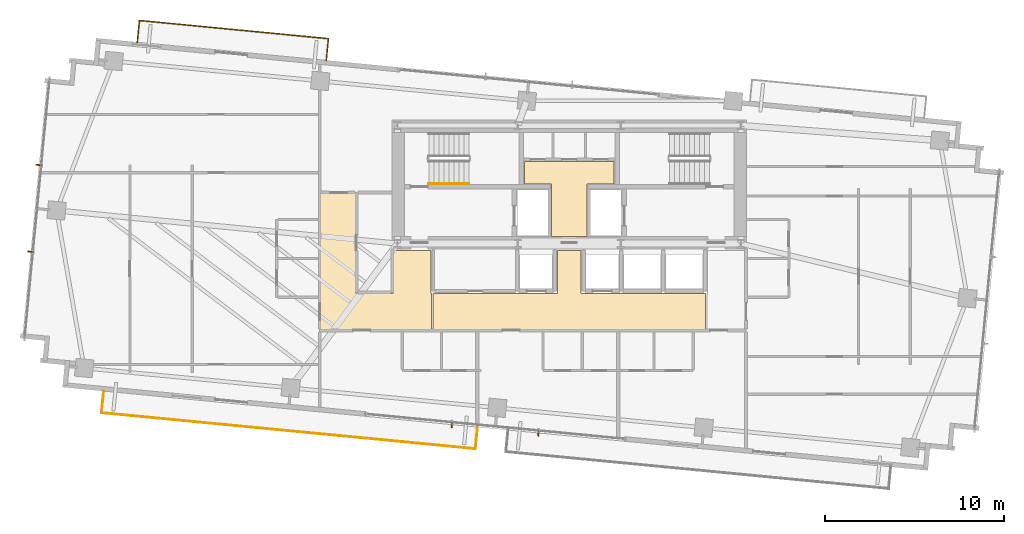
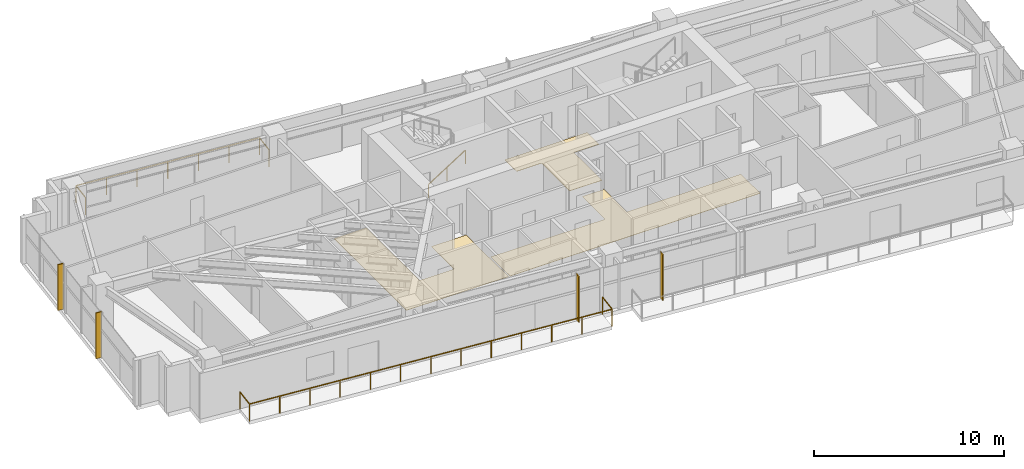
# One storey, part 18 of 19: 4 shading devices, 3 coverings, 3 railings.
"""IFC4 building model written with IfcOpenShell, lengths in metres."""

from ifc_helpers import new_model, si_unit, direction, frame, origin, origin_2d, place, context, subcontext, project, spatial, polyline, rectangle, outline, extrude, source, transform, mapped, material, layer, layer_set, type_object, type_shapes, element, save


model = new_model("IFC4")

# Units and contexts
model_context = context("Model", 3, precision=1e-05, world=origin(), true_north=direction((0.0, 1.0)))
body_context = subcontext(model_context, "Body", "Model", "MODEL_VIEW")
ifc_project = project(units=[si_unit("LENGTHUNIT", "METRE"), si_unit("AREAUNIT", "SQUARE_METRE"), si_unit("VOLUMEUNIT", "CUBIC_METRE"), si_unit("PLANEANGLEUNIT", "RADIAN"), si_unit("MASSUNIT", "GRAM", prefix="KILO")], contexts=[model_context])

# Site, building, storey
site_placement = place(None, origin())
site = spatial("IfcSite", under=ifc_project, at=site_placement, CompositionType="ELEMENT")
building_placement = place(site_placement, origin())
building = spatial("IfcBuilding", under=site, at=building_placement, Name="Astriad Promenade Condominiums", CompositionType="ELEMENT")
storey_placement = place(building_placement, frame((0.0, 0.0, 150.199951171875)))
storey = spatial("IfcBuildingStorey", under=building, at=storey_placement, Name="L43", CompositionType="ELEMENT", Elevation=150.199951171875)

# Coverings
ifc_material_1 = material(Name="Polished Lakefront Terrazzo Flooring")
ifc_layer = layer(ifc_material_1, 0.02001953125)
ifc_layer_set = layer_set([ifc_layer], Name="Polished Lakefront Terrazzo Flooring")
covering_type = type_object("IfcCoveringType", Name="COV-FLOR-TERRAZZO-20", PredefinedType="FLOORING", material=ifc_layer_set)
covering_1_placement = place(storey_placement, origin())
element("IfcCovering", 1, at=covering_1_placement, inside=storey, type_object=covering_type, Name="FLR-L43-CSL", PredefinedType="FLOORING", context=body_context, shape_type="SweptSolid", body=[
    extrude(outline(polyline([(36.97998046875, 20.699951171875), (36.97998046875, 17.7900390625), (35.02001953125, 17.7900390625), (35.02001953125, 20.699951171875), (35.019775390625, 20.703857421875), (35.019287109375, 20.707763671875), (35.018310546875, 20.711669921875), (35.01708984375, 20.71533203125), (35.015380859375, 20.718994140625), (35.01318359375, 20.72216796875), (35.010986328125, 20.725341796875), (35.00830078125, 20.728271484375), (35.00537109375, 20.73095703125), (35.002197265625, 20.7333984375), (34.998779296875, 20.7353515625), (34.995361328125, 20.737060546875), (34.99169921875, 20.73828125), (34.98779296875, 20.7392578125), (34.98388671875, 20.73974609375), (34.97998046875, 20.739990234375), (33.5, 20.739990234375), (33.5, 21.97998046875), (38.5, 21.97998046875), (38.5, 20.739990234375), (37.02001953125, 20.739990234375), (37.01611328125, 20.73974609375), (37.01220703125, 20.7392578125), (37.00830078125, 20.73828125), (37.004638671875, 20.737060546875), (37.001220703125, 20.7353515625), (36.997802734375, 20.7333984375), (36.99462890625, 20.73095703125), (36.99169921875, 20.728271484375), (36.989013671875, 20.725341796875), (36.98681640625, 20.72216796875), (36.984619140625, 20.718994140625), (36.98291015625, 20.71533203125), (36.981689453125, 20.711669921875), (36.980712890625, 20.707763671875), (36.980224609375, 20.703857421875), (36.97998046875, 20.699951171875)])), origin(), (0.0, 0.0, 1.0), 0.02001953125),
])
covering_2_placement = place(storey_placement, origin())
element("IfcCovering", 2, at=covering_2_placement, inside=storey, type_object=covering_type, Name="FLR-L43-LLB", PredefinedType="FLOORING", context=body_context, shape_type="SweptSolid", body=[
    extrude(outline(polyline([(32.9736328125, 14.6201171875), (32.974609375, 14.619140625), (32.977783203125, 14.61669921875), (32.981201171875, 14.61474609375), (32.984619140625, 14.613037109375), (32.98828125, 14.61181640625), (32.9921875, 14.61083984375), (32.99609375, 14.610107421875), (33.0, 14.610107421875), (35.300048828125, 14.610107421875), (35.303955078125, 14.610107421875), (35.307861328125, 14.61083984375), (35.3115234375, 14.61181640625), (35.315185546875, 14.613037109375), (35.31884765625, 14.61474609375), (35.322265625, 14.61669921875), (35.325439453125, 14.619140625), (35.328369140625, 14.62158203125), (35.330810546875, 14.62451171875), (35.333251953125, 14.627685546875), (35.335205078125, 14.631103515625), (35.3369140625, 14.634765625), (35.33837890625, 14.638427734375), (35.339111328125, 14.64208984375), (35.33984375, 14.64599609375), (35.340087890625, 14.64990234375), (35.340087890625, 17.010009765625), (36.659912109375, 17.010009765625), (36.659912109375, 14.64990234375), (36.66015625, 14.64599609375), (36.660888671875, 14.64208984375), (36.66162109375, 14.638427734375), (36.6630859375, 14.634765625), (36.664794921875, 14.631103515625), (36.666748046875, 14.627685546875), (36.669189453125, 14.62451171875), (36.671630859375, 14.62158203125), (36.674560546875, 14.619140625), (36.677734375, 14.61669921875), (36.68115234375, 14.61474609375), (36.684814453125, 14.613037109375), (36.6884765625, 14.61181640625), (36.692138671875, 14.61083984375), (36.696044921875, 14.610107421875), (36.699951171875, 14.610107421875), (43.610107421875, 14.610107421875), (43.610107421875, 12.590087890625), (28.389892578125, 12.590087890625), (28.389892578125, 14.6201171875), (32.9736328125, 14.6201171875)])), origin(), (0.0, 0.0, 1.0), 0.02001953125),
])
covering_3_placement = place(storey_placement, origin())
element("IfcCovering", 3, at=covering_3_placement, inside=storey, type_object=covering_type, Name="FLR-L43-COR-2", PredefinedType="FLOORING", context=body_context, shape_type="SweptSolid", body=[
    extrude(outline(polyline([(28.300048828125, 12.590087890625), (22.090087890625, 12.590087890625), (22.090087890625, 20.2099609375), (24.06005859375, 20.2099609375), (24.06005859375, 14.659912109375), (24.060302734375, 14.656005859375), (24.060791015625, 14.652099609375), (24.061767578125, 14.6484375), (24.06298828125, 14.644775390625), (24.064697265625, 14.64111328125), (24.066650390625, 14.6376953125), (24.069091796875, 14.634521484375), (24.07177734375, 14.631591796875), (24.07470703125, 14.629150390625), (24.077880859375, 14.626708984375), (24.0810546875, 14.624755859375), (24.084716796875, 14.623046875), (24.08837890625, 14.62158203125), (24.09228515625, 14.620849609375), (24.09619140625, 14.6201171875), (24.10009765625, 14.6201171875), (26.1201171875, 14.6201171875), (26.123779296875, 14.6201171875), (26.127685546875, 14.620849609375), (26.131591796875, 14.62158203125), (26.13525390625, 14.623046875), (26.138916015625, 14.624755859375), (26.14208984375, 14.626708984375), (26.1455078125, 14.629150390625), (26.148193359375, 14.631591796875), (26.15087890625, 14.634521484375), (26.1533203125, 14.6376953125), (26.1552734375, 14.64111328125), (26.156982421875, 14.644775390625), (26.158203125, 14.6484375), (26.1591796875, 14.652099609375), (26.159912109375, 14.656005859375), (26.159912109375, 14.659912109375), (26.159912109375, 17.010009765625), (28.280029296875, 17.010009765625), (28.280029296875, 14.659912109375), (28.2802734375, 14.656005859375), (28.28076171875, 14.652099609375), (28.28173828125, 14.6484375), (28.282958984375, 14.644775390625), (28.28466796875, 14.64111328125), (28.28662109375, 14.6376953125), (28.2890625, 14.634521484375), (28.291748046875, 14.631591796875), (28.294677734375, 14.629150390625), (28.2978515625, 14.626708984375), (28.300048828125, 14.62548828125), (28.300048828125, 12.590087890625)])), origin(), (0.0, 0.0, 1.0), 0.02001953125),
])

# Shading devices
ifc_material_2 = material(Name="Anodised aluminium 6063-T6 Black Fin", Category="aluminium")
shading_device_type = type_object("IfcShadingDeviceType", Name="FIN-BLACK-260", PredefinedType="USERDEFINED", material=ifc_material_2)
shared_shape_1 = source(origin(), body_context, "Body", "SweptSolid", [
    extrude(rectangle(XDim=0.06494140625, YDim=0.320068359375, at=origin_2d()), origin(), (0.0, 0.0, 1.0), 2.93994140625),
])
type_shapes(shading_device_type, [shared_shape_1])
for number, where, z_axis, x_axis, name in (
    (4, (5.880126953125, 16.947509765625, 0.0), (0.0, 0.0, 1.0), (0.09584575252, 0.995396198367, 0.0), "CW-L43-W-FIN-01"),
    (5, (6.3466796875, 21.791748046875, 0.0), (0.0, 0.0, 1.0), (0.09584575252, 0.995396198367, 0.0), "CW-L43-W-FIN-02"),
    (6, (34.278564453125, 6.80224609375, 0.0), (0.0, 0.0, 1.0), (-0.995396198367, 0.09584575252, 0.0), "CW-L43-S-FIN-01"),
    (7, (29.44091796875, 7.26806640625, 0.0), (0.0, 0.0, 1.0), (-0.995396198367, 0.09584575252, 0.0), "CW-L43-S-FIN-02"),
):
    element("IfcShadingDevice", number, at=place(storey_placement, frame(where, z_axis=z_axis, x_axis=x_axis)), inside=storey, type_object=shading_device_type, Name=name, ObjectType="FIN", PredefinedType="USERDEFINED", context=body_context, shape_type="MappedRepresentation", body=[
        mapped(shared_shape_1, transform((0.0, 0.0, 0.0), scale=1.0)),
    ])

# Railings
ifc_material_3 = material(Name="Laminated Glass and Stainless Steel Balustrade", Category="steel")
railing_type_1 = type_object("IfcRailingType", Name="GRD-BALC-1120", PredefinedType="BALUSTRADE", material=ifc_material_3)
shared_shape_2 = source(origin(), body_context, "Body", "SweptSolid", [
    extrude(rectangle(XDim=0.048095703125, YDim=0.048095703125, at=origin_2d()), frame((0.0, 0.0, 1.09619140625), z_axis=(-0.095857307208, -0.99539508571, 0.0), x_axis=(0.99539508571, -0.095857307208, 0.0)), (0.0, 0.0, 1.0), 1.219970703125),
    extrude(rectangle(XDim=0.048095703125, YDim=0.048095703125, at=origin_2d()), frame((-0.116943359375, -1.21435546875, 1.09619140625), z_axis=(0.99539657836, -0.095841806061, 0.0), x_axis=(0.095841806061, 0.99539657836, 0.0)), (0.0, 0.0, 1.0), 20.9951171875),
    extrude(rectangle(XDim=0.048095703125, YDim=0.048095703125, at=origin_2d()), frame((20.781494140625, -3.2265625, 1.09619140625), z_axis=(0.095857307208, 0.99539508571, 0.0), x_axis=(-0.99539508571, 0.095857307208, 0.0)), (0.0, 0.0, 1.0), 1.219970703125),
    extrude(rectangle(XDim=0.0419921875, YDim=0.0419921875, at=origin_2d()), origin(), (0.0, 0.0, 1.0), 1.072021484375),
    extrude(rectangle(XDim=0.0419921875, YDim=0.0419921875, at=origin_2d()), frame((-0.116943359375, -1.21435546875, 0.0)), (0.0, 0.0, 1.0), 1.072021484375),
    extrude(rectangle(XDim=0.0419921875, YDim=0.0419921875, at=origin_2d()), frame((1.62451171875, -1.382080078125, 0.0)), (0.0, 0.0, 1.0), 1.072021484375),
    extrude(rectangle(XDim=0.0419921875, YDim=0.0419921875, at=origin_2d()), frame((3.3662109375, -1.5498046875, 0.0)), (0.0, 0.0, 1.0), 1.072021484375),
    extrude(rectangle(XDim=0.0419921875, YDim=0.0419921875, at=origin_2d()), frame((5.107666015625, -1.71728515625, 0.0)), (0.0, 0.0, 1.0), 1.072021484375),
    extrude(rectangle(XDim=0.0419921875, YDim=0.0419921875, at=origin_2d()), frame((6.84912109375, -1.885009765625, 0.0)), (0.0, 0.0, 1.0), 1.072021484375),
    extrude(rectangle(XDim=0.0419921875, YDim=0.0419921875, at=origin_2d()), frame((8.5908203125, -2.052734375, 0.0)), (0.0, 0.0, 1.0), 1.072021484375),
    extrude(rectangle(XDim=0.0419921875, YDim=0.0419921875, at=origin_2d()), frame((10.332275390625, -2.220458984375, 0.0)), (0.0, 0.0, 1.0), 1.072021484375),
    extrude(rectangle(XDim=0.0419921875, YDim=0.0419921875, at=origin_2d()), frame((12.07373046875, -2.38818359375, 0.0)), (0.0, 0.0, 1.0), 1.072021484375),
    extrude(rectangle(XDim=0.0419921875, YDim=0.0419921875, at=origin_2d()), frame((13.8154296875, -2.555908203125, 0.0)), (0.0, 0.0, 1.0), 1.072021484375),
    extrude(rectangle(XDim=0.0419921875, YDim=0.0419921875, at=origin_2d()), frame((15.556884765625, -2.7236328125, 0.0)), (0.0, 0.0, 1.0), 1.072021484375),
    extrude(rectangle(XDim=0.0419921875, YDim=0.0419921875, at=origin_2d()), frame((17.29833984375, -2.89111328125, 0.0)), (0.0, 0.0, 1.0), 1.072021484375),
    extrude(rectangle(XDim=0.0419921875, YDim=0.0419921875, at=origin_2d()), frame((19.0400390625, -3.058837890625, 0.0)), (0.0, 0.0, 1.0), 1.072021484375),
    extrude(rectangle(XDim=0.0419921875, YDim=0.0419921875, at=origin_2d()), frame((20.781494140625, -3.2265625, 0.0)), (0.0, 0.0, 1.0), 1.072021484375),
    extrude(rectangle(XDim=0.0419921875, YDim=0.0419921875, at=origin_2d()), frame((20.8984375, -2.01220703125, 0.0)), (0.0, 0.0, 1.0), 1.072021484375),
])
railing_1_placement = place(storey_placement, frame((9.972900390625, 9.152587890625, 0.0)))
element("IfcRailing", 8, at=railing_1_placement, inside=storey, type_object=railing_type_1, Name="GRD-BALC-L43-SW", PredefinedType="BALUSTRADE", context=body_context, shape_type="MappedRepresentation", body=[
    mapped(shared_shape_2, transform((0.0, 0.0, 0.0), scale=1.0)),
])
shared_shape_3 = source(origin(), body_context, "Body", "SweptSolid", [
    extrude(rectangle(XDim=0.048095703125, YDim=0.048095703125, at=origin_2d()), frame((0.0, 0.0, 1.09619140625), z_axis=(0.095857307208, 0.99539508571, 0.0), x_axis=(-0.99539508571, 0.095857307208, 0.0)), (0.0, 0.0, 1.0), 1.219970703125),
    extrude(rectangle(XDim=0.048095703125, YDim=0.048095703125, at=origin_2d()), frame((0.116943359375, 1.21435546875, 1.09619140625), z_axis=(-0.995395834998, 0.095849526183, 0.0), x_axis=(-0.095849526183, -0.995395834998, 0.0)), (0.0, 0.0, 1.0), 10.618896484375),
    extrude(rectangle(XDim=0.048095703125, YDim=0.048095703125, at=origin_2d()), frame((-10.453125, 2.232177734375, 1.09619140625), z_axis=(-0.095857307208, -0.99539508571, 0.0), x_axis=(0.99539508571, -0.095857307208, 0.0)), (0.0, 0.0, 1.0), 1.219970703125),
    extrude(rectangle(XDim=0.0419921875, YDim=0.0419921875, at=origin_2d()), origin(), (0.0, 0.0, 1.0), 1.072021484375),
    extrude(rectangle(XDim=0.0419921875, YDim=0.0419921875, at=origin_2d()), frame((0.116943359375, 1.21435546875, 0.0)), (0.0, 0.0, 1.0), 1.072021484375),
    extrude(rectangle(XDim=0.0419921875, YDim=0.0419921875, at=origin_2d()), frame((-1.644775390625, 1.384033203125, 0.0)), (0.0, 0.0, 1.0), 1.072021484375),
    extrude(rectangle(XDim=0.0419921875, YDim=0.0419921875, at=origin_2d()), frame((-3.406494140625, 1.5537109375, 0.0)), (0.0, 0.0, 1.0), 1.072021484375),
    extrude(rectangle(XDim=0.0419921875, YDim=0.0419921875, at=origin_2d()), frame((-5.16796875, 1.72314453125, 0.0)), (0.0, 0.0, 1.0), 1.072021484375),
    extrude(rectangle(XDim=0.0419921875, YDim=0.0419921875, at=origin_2d()), frame((-6.9296875, 1.892822265625, 0.0)), (0.0, 0.0, 1.0), 1.072021484375),
    extrude(rectangle(XDim=0.0419921875, YDim=0.0419921875, at=origin_2d()), frame((-8.69140625, 2.0625, 0.0)), (0.0, 0.0, 1.0), 1.072021484375),
    extrude(rectangle(XDim=0.0419921875, YDim=0.0419921875, at=origin_2d()), frame((-10.453125, 2.232177734375, 0.0)), (0.0, 0.0, 1.0), 1.072021484375),
    extrude(rectangle(XDim=0.0419921875, YDim=0.0419921875, at=origin_2d()), frame((-10.570068359375, 1.017822265625, 0.0)), (0.0, 0.0, 1.0), 1.072021484375),
])
type_shapes(railing_type_1, [shared_shape_2, shared_shape_3])
railing_2_placement = place(storey_placement, frame((22.421630859375, 27.64453125, 0.0)))
element("IfcRailing", 9, at=railing_2_placement, inside=storey, type_object=railing_type_1, Name="GRD-BALC-L43-NW", PredefinedType="BALUSTRADE", context=body_context, shape_type="MappedRepresentation", body=[
    mapped(shared_shape_3, transform((0.0, 0.0, 0.0), scale=1.0)),
])
ifc_material_4 = material(Name="Brushed Stainless Steel Handrail", Category="steel")
railing_type_2 = type_object("IfcRailingType", Name="HRL-STAIR-920", PredefinedType="HANDRAIL", material=ifc_material_4)
shared_shape_4 = source(origin(), body_context, "Body", "SweptSolid", [
    extrude(rectangle(XDim=0.048095703125, YDim=0.048095703125, at=origin_2d()), frame((0.0, 0.0, 0.8759765625), z_axis=(0.84418770128, 0.0, 0.536047689118), x_axis=(0.0, 1.0, 0.0)), (0.0, 0.0, 1.0), 2.6533203125),
    extrude(rectangle(XDim=0.0419921875, YDim=0.0419921875, at=origin_2d()), origin(), (0.0, 0.0, 1.0), 0.851806640625),
    extrude(rectangle(XDim=0.0419921875, YDim=0.0419921875, at=origin_2d()), frame((1.1201171875, 0.0, 0.711181640625)), (0.0, 0.0, 1.0), 0.851806640625),
    extrude(rectangle(XDim=0.0419921875, YDim=0.0419921875, at=origin_2d()), frame((2.239990234375, 0.0, 1.42236328125)), (0.0, 0.0, 1.0), 0.851806640625),
])
type_shapes(railing_type_2, [shared_shape_4])
railing_3_placement = place(storey_placement, frame((28.14990234375, 20.75, 0.177734375)))
element("IfcRailing", 10, at=railing_3_placement, inside=storey, type_object=railing_type_2, Name="L43 ST-1 stair handrail 1", PredefinedType="HANDRAIL", context=body_context, shape_type="MappedRepresentation", body=[
    mapped(shared_shape_4, transform((0.0, 0.0, 0.0), scale=1.0)),
])

save(model, "model.ifc")
